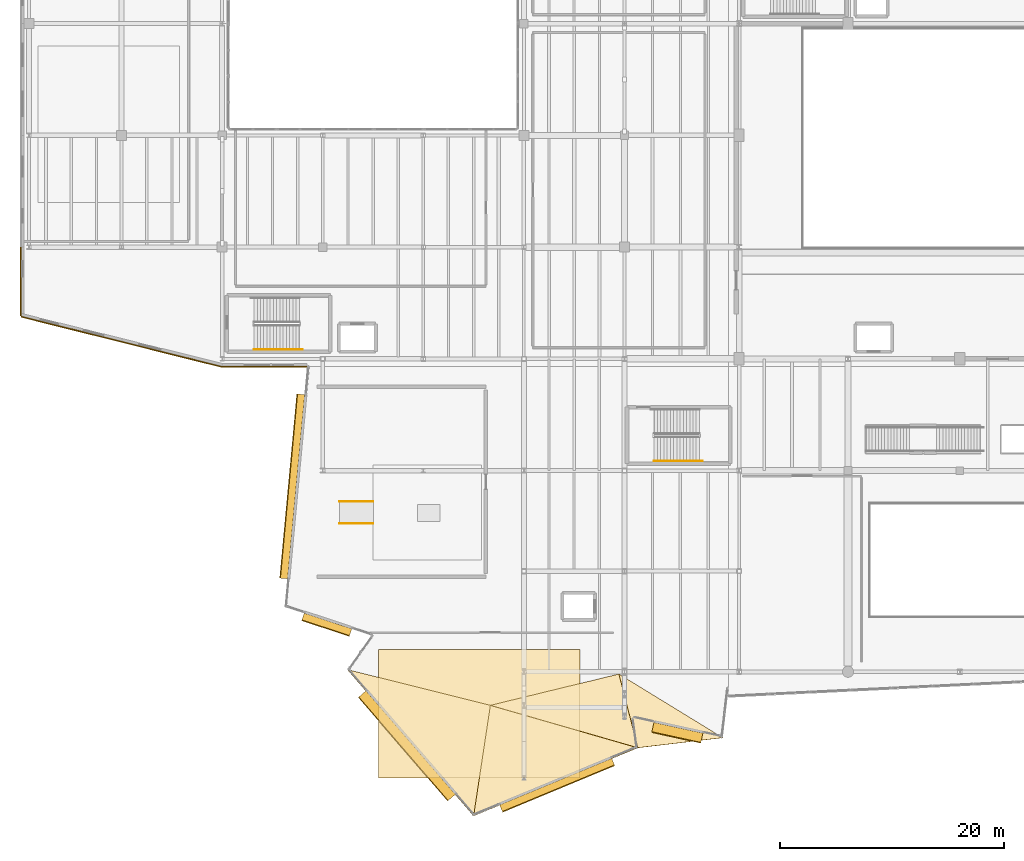
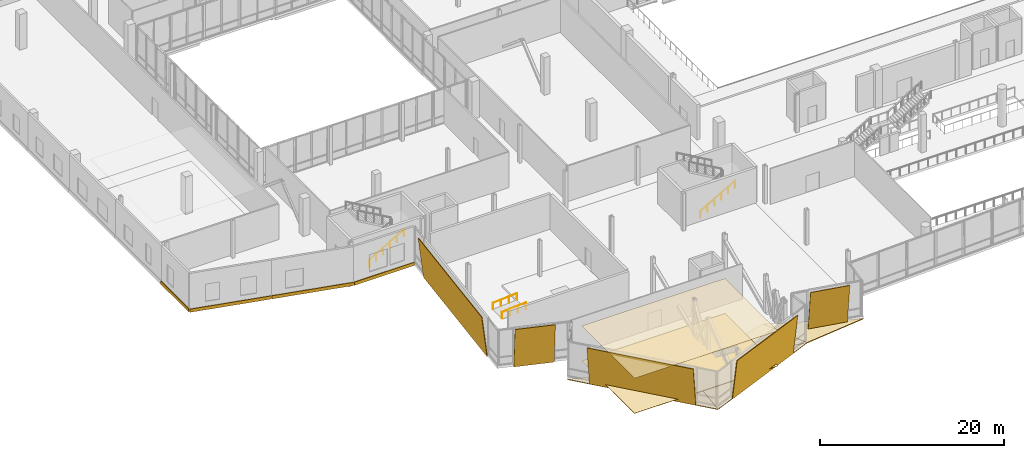
# One storey, part 62 of 73: 15 coverings, 4 railings.
"""IFC4 building model written with IfcOpenShell, lengths in metres."""

from ifc_helpers import new_model, si_unit, direction, frame, origin, origin_2d, place, context, subcontext, project, spatial, polyline, rectangle, circle, outline, extrude, material, layer, layer_set, type_object, element, save


model = new_model("IFC4")

# Units and contexts
model_context = context("Model", 3, precision=1e-05, world=origin(), true_north=direction((0.0, 1.0)))
body_context = subcontext(model_context, "Body", "Model", "MODEL_VIEW")
ifc_project = project(units=[si_unit("LENGTHUNIT", "METRE"), si_unit("AREAUNIT", "SQUARE_METRE"), si_unit("VOLUMEUNIT", "CUBIC_METRE"), si_unit("PLANEANGLEUNIT", "RADIAN"), si_unit("MASSUNIT", "GRAM", prefix="KILO")], contexts=[model_context])

# Site, building, storey
site_placement = place(None, origin())
site = spatial("IfcSite", under=ifc_project, at=site_placement, CompositionType="ELEMENT")
building_placement = place(site_placement, origin())
building = spatial("IfcBuilding", under=site, at=building_placement, Name="Trimount Lyric Opera House", CompositionType="ELEMENT")
storey_placement = place(building_placement, frame((0.0, 0.0, 10.0)))
storey = spatial("IfcBuildingStorey", under=building, at=storey_placement, Name="L02", CompositionType="ELEMENT", Elevation=10.0)

# Coverings
ifc_material_1 = material(Name="Micro-Perforated White Oak Acoustic Ceiling")
ifc_layer_1 = layer(ifc_material_1, 0.0400390625)
ifc_layer_set_1 = layer_set([ifc_layer_1], Name="CEIL-AC1")
covering_type_1 = type_object("IfcCoveringType", Name="CEIL-AC1", PredefinedType="CEILING", material=ifc_layer_set_1)
covering_1_placement = place(storey_placement, frame((0.0, 0.0, 4.635009765625)))
element("IfcCovering", 1, at=covering_1_placement, inside=storey, type_object=covering_type_1, Name="Broken-Crystal Overlook Foyer acoustic ceiling", PredefinedType="CEILING", context=body_context, shape_type="SweptSolid", body=[
    extrude(outline(polyline([(32.0, 16.5), (50.0, 16.5), (50.0, 28.0), (32.0, 28.0), (32.0, 16.5)])), origin(), (0.0, 0.0, 1.0), 0.0400390625),
])
ifc_material_2 = material(Name="Matte White GFRC Crystal Facet Panel")
ifc_layer_2 = layer(ifc_material_2, 0.0849609375)
ifc_layer_set_2 = layer_set([ifc_layer_2], Name="CLD-CRYS1")
covering_type_2 = type_object("IfcCoveringType", Name="CLD-CRYS1", PredefinedType="CLADDING", material=ifc_layer_set_2)
covering_2_placement = place(storey_placement, frame((23.859130859375, 34.31689453125, -0.360107421875), z_axis=(0.988700859086, -0.091885662503, 0.11843832264), x_axis=(0.09253699236, 0.995709247243, 0.0)))
element("IfcCovering", 2, at=covering_2_placement, inside=storey, type_object=covering_type_2, Name="L02 broken-crystal tilted white plane 001", PredefinedType="CLADDING", context=body_context, shape_type="SweptSolid", body=[
    extrude(outline(polyline([(0.0, 0.0), (16.552713052291413, 0.0), (16.552678476461015, 5.438425325058503), (-3.4575830398635705e-05, 5.438425325058503), (0.0, 0.0)])), origin(), (0.0, 0.0, -1.0), 0.0849609375),
])
covering_3_placement = place(storey_placement, frame((52.853515625, 18.25341796875, -0.360107421875), z_axis=(-0.380583073305, 0.917133297413, 0.118418913566), x_axis=(-0.923632226949, -0.383279936001, 0.0)))
element("IfcCovering", 3, at=covering_3_placement, inside=storey, type_object=covering_type_2, Name="L02 broken-crystal tilted white plane 003", PredefinedType="CLADDING", context=body_context, shape_type="SweptSolid", body=[
    extrude(outline(polyline([(0.0, 0.0), (10.855367423261049, 0.0), (10.855270060406347, 5.393172449113417), (-9.736285470105712e-05, 5.393172449113417), (0.0, 0.0)])), origin(), (0.0, 0.0, -1.0), 0.0849609375),
])
covering_4_placement = place(storey_placement, frame((29.606201171875, 29.8515625, -0.360107421875), z_axis=(0.310116904016, 0.943298153607, 0.118389607842), x_axis=(-0.94997903439, 0.312313679192, -3.039992e-06)))
element("IfcCovering", 4, at=covering_4_placement, inside=storey, type_object=covering_type_2, Name="L02 broken-crystal tilted white plane 005", PredefinedType="CLADDING", context=body_context, shape_type="SweptSolid", body=[
    extrude(outline(polyline([(0.0, 0.0), (4.484357360496435, -2.7755575615628914e-17), (4.484139446353267, 5.438407235704183), (-0.00014166568633345393, 5.438379778013122), (0.0, 0.0)])), origin(), (0.0, 0.0, -1.0), 0.0849609375),
])
covering_5_placement = place(storey_placement, frame((29.199951171875, 26.199951171875, -0.340087890625), z_axis=(0.103072188546, 0.090424767846, 0.990555139964), x_axis=(0.653173647591, -0.757207268203, 0.001157183517)))
element("IfcCovering", 5, at=covering_5_placement, inside=storey, type_object=covering_type_2, Name="Cantilevered crystal prow white soffit facet CLD-BELLY-1", PredefinedType="CLADDING", context=body_context, shape_type="SweptSolid", body=[
    extrude(outline(polyline([(0.0, 0.0), (17.300221571716165, -1.1848161340921592e-15), (10.7824776340986, 7.6746522432282775), (0.0, 0.0)])), origin(), (0.0, 0.0, -1.0), 0.0849609375),
])
covering_6_placement = place(storey_placement, frame((40.5, 13.10009765625, -0.320068359375), z_axis=(-0.045606267769, 0.113163353186, 0.992529155157), x_axis=(0.923635712001, 0.383269473424, -0.0012578786)))
element("IfcCovering", 6, at=covering_6_placement, inside=storey, type_object=covering_type_2, Name="Cantilevered crystal prow white soffit facet CLD-BELLY-2", PredefinedType="CLADDING", context=body_context, shape_type="SweptSolid", body=[
    extrude(outline(polyline([(0.0, 0.0), (15.915312694044795, -5.741934705483231e-16), (5.1811170441595085, 8.633498668880375), (0.0, 0.0)])), origin(), (0.0, 0.0, -1.0), 0.0849609375),
])
covering_7_placement = place(storey_placement, frame((55.199951171875, 19.199951171875, -0.340087890625), z_axis=(-0.015703161862, 0.132584602326, 0.991047291472), x_axis=(0.99305906425, 0.117616728875, 0.0)))
element("IfcCovering", 7, at=covering_7_placement, inside=storey, type_object=covering_type_2, Name="Cantilevered crystal prow white soffit facet CLD-BELLY-3", PredefinedType="CLADDING", context=body_context, shape_type="SweptSolid", body=[
    extrude(outline(polyline([(0.0, 0.0), (7.6532181517234585, -1.1102230246251565e-16), (-0.9118700234266737, 6.815244395174618), (0.0, 0.0)])), origin(), (0.0, 0.0, -1.0), 0.0849609375),
])
covering_8_placement = place(storey_placement, frame((42.0, 23.0, -1.3798828125), z_axis=(-0.041841142497, 0.125868500338, 0.991164183885), x_axis=(0.958229852088, -0.275858613345, 0.075482289382)))
element("IfcCovering", 8, at=covering_8_placement, inside=storey, type_object=covering_type_2, Name="Cantilevered crystal prow white soffit facet CLD-BELLY-4", PredefinedType="CLADDING", context=body_context, shape_type="SweptSolid", body=[
    extrude(outline(polyline([(0.0, 0.0), (13.775349560558363, 4.579669976578771e-16), (10.257029564025274, 5.907663455849412), (0.0, 0.0)])), origin(), (0.0, 0.0, -1.0), 0.0849609375),
])
ifc_material_3 = material(Name="Brushed White Aluminium Crystal Cladding", Category="aluminium")
ifc_layer_3 = layer(ifc_material_3, 0.070068359375)
ifc_layer_set_3 = layer_set([ifc_layer_3], Name="CLD-CRYS2")
covering_type_3 = type_object("IfcCoveringType", Name="CLD-CRYS2", PredefinedType="CLADDING", material=ifc_layer_set_3)
covering_9_placement = place(storey_placement, frame((61.017578125, 20.515380859375, -0.360107421875), z_axis=(0.211081743952, 0.96487212971, 0.156416976953), x_axis=(-0.976896612333, 0.213712444213, -8.98889e-07)))
element("IfcCovering", 9, at=covering_9_placement, inside=storey, type_object=covering_type_3, Name="L02 broken-crystal tilted white plane 002", PredefinedType="CLADDING", context=body_context, shape_type="SweptSolid", body=[
    extrude(outline(polyline([(0.0, 0.0), (4.483721549170515, -2.7755575615628914e-17), (4.483807412456251, 5.467448738406687), (-0.0001526368637602715, 5.467440577000004), (0.0, 0.0)])), origin(), (0.0, 0.0, -1.0), 0.070068359375),
])
covering_10_placement = place(storey_placement, frame((38.866455078125, 15.031982421875, -0.360107421875), z_axis=(0.747892396251, 0.645127126915, 0.156422356932), x_axis=(-0.653167589445, 0.757213378182, 1.166679e-06)))
element("IfcCovering", 10, at=covering_10_placement, inside=storey, type_object=covering_type_3, Name="L02 broken-crystal tilted white plane 004", PredefinedType="CLADDING", context=body_context, shape_type="SweptSolid", body=[
    extrude(outline(polyline([(0.0, 0.0), (12.240425026472785, 0.0), (12.240361353683765, 5.421953172104486), (9.579195449708001e-05, 5.421982089181795), (0.0, 0.0)])), origin(), (0.0, 0.0, -1.0), 0.070068359375),
])
ifc_material_4 = material(Name="Architectural Precast Concrete Spandrel Band", Category="concrete")
ifc_layer_4 = layer(ifc_material_4, 0.094970703125)
ifc_layer_set_4 = layer_set([ifc_layer_4], Name="CLD-WING1")
covering_type_4 = type_object("IfcCoveringType", Name="CLD-WING1", PredefinedType="CLADDING", material=ifc_layer_set_4)
covering_11_placement = place(storey_placement, frame((21.800048828125, 53.278564453125, -0.369873046875), z_axis=(0.0, 0.0, 1.0), x_axis=(-1.0, 0.0, 0.0)))
element("IfcCovering", 11, at=covering_11_placement, inside=storey, type_object=covering_type_4, Name="L02 precast slab-edge spandrel 194", PredefinedType="CLADDING", context=body_context, shape_type="SweptSolid", body=[
    extrude(rectangle(XDim=7.5400390625, YDim=0.094970703125, at=origin_2d()), origin(), (0.0, 0.0, 1.0), 0.419921875),
])
for number, where, z_axis, x_axis, name in (
    (12, (13.489990234375, 54.40478515625, -0.369873046875), (0.0, 0.0, 1.0), (-0.970143530747, 0.242531502591, 0.0), "L02 precast slab-edge spandrel 195"),
    (13, (4.489990234375, 56.65478515625, -0.369873046875), (0.0, 0.0, 1.0), (-0.970143530747, 0.242531502591, 0.0), "L02 precast slab-edge spandrel 196"),
):
    element("IfcCovering", number, at=place(storey_placement, frame(where, z_axis=z_axis, x_axis=x_axis)), inside=storey, type_object=covering_type_4, Name=name, PredefinedType="CLADDING", context=body_context, shape_type="SweptSolid", body=[
        extrude(rectangle(XDim=9.217041015625, YDim=0.094970703125, at=origin_2d()), origin(), (0.0, 0.0, 1.0), 0.419921875),
    ])
covering_12_placement = place(storey_placement, frame((-0.04150390625, 60.909912109375, -0.369873046875), z_axis=(0.0, 0.0, 1.0), x_axis=(0.0, 1.0, 0.0)))
element("IfcCovering", 14, at=covering_12_placement, inside=storey, type_object=covering_type_4, Name="L02 precast slab-edge spandrel 197", PredefinedType="CLADDING", context=body_context, shape_type="SweptSolid", body=[
    extrude(rectangle(XDim=6.1201171875, YDim=0.094970703125, at=origin_2d()), origin(), (0.0, 0.0, 1.0), 0.419921875),
])
ifc_material_5 = material(Name="Honed Granite Terrazzo Concourse Flooring", Category="masonry")
ifc_layer_5 = layer(ifc_material_5, 0.02490234375)
ifc_layer_set_5 = layer_set([ifc_layer_5], Name="FLR-TRZ1")
covering_type_5 = type_object("IfcCoveringType", Name="FLR-TRZ1", PredefinedType="FLOORING", material=ifc_layer_set_5)
covering_13_placement = place(storey_placement, origin())
element("IfcCovering", 15, at=covering_13_placement, inside=storey, type_object=covering_type_5, Name="Broken-Crystal Overlook Foyer finish flooring", PredefinedType="FLOORING", context=body_context, shape_type="SweptSolid", body=[
    extrude(outline(polyline([(32.0, 16.5), (50.0, 16.5), (50.0, 28.0), (32.0, 28.0), (32.0, 16.5)])), origin(), (0.0, 0.0, 1.0), 0.02490234375),
])

# Railings
ifc_material_6 = material(Name="Brushed Stainless Steel 316", Category="steel")
railing_type = type_object("IfcRailingType", Name="RL-HND092", PredefinedType="HANDRAIL", material=ifc_material_6)
railing_1_placement = place(storey_placement, frame((20.85009765625, 54.85009765625, 0.166748046875)))
element("IfcRailing", 16, at=railing_1_placement, inside=storey, type_object=railing_type, Name="L02 ST-06 stair handrail 1", PredefinedType="HANDRAIL", context=body_context, shape_type="SweptSolid", body=[
    extrude(circle(Radius=0.0224609375, at=origin_2d()), frame((0.0, 0.0, 0.8974609375), z_axis=(0.866754379005, 0.0, 0.498735246875), x_axis=(0.0, 1.0, 0.0)), (0.0, 0.0, 1.0), 5.0185546875),
    extrude(circle(Radius=0.02099609375, at=origin_2d()), origin(), (0.0, 0.0, 1.0), 0.875),
    extrude(circle(Radius=0.02099609375, at=origin_2d()), frame((0.869873046875, 0.0, 0.50048828125)), (0.0, 0.0, 1.0), 0.875),
    extrude(circle(Radius=0.02099609375, at=origin_2d()), frame((1.739990234375, 0.0, 1.001220703125)), (0.0, 0.0, 1.0), 0.875),
    extrude(circle(Radius=0.02099609375, at=origin_2d()), frame((2.60986328125, 0.0, 1.501708984375)), (0.0, 0.0, 1.0), 0.875),
    extrude(circle(Radius=0.02099609375, at=origin_2d()), frame((3.47998046875, 0.0, 2.00244140625)), (0.0, 0.0, 1.0), 0.875),
    extrude(circle(Radius=0.02099609375, at=origin_2d()), frame((4.349853515625, 0.0, 2.5029296875)), (0.0, 0.0, 1.0), 0.875),
])
railing_2_placement = place(storey_placement, frame((56.64990234375, 44.85009765625, 0.166748046875)))
element("IfcRailing", 17, at=railing_2_placement, inside=storey, type_object=railing_type, Name="L02 ST-07 stair handrail 1", PredefinedType="HANDRAIL", context=body_context, shape_type="SweptSolid", body=[
    extrude(circle(Radius=0.0224609375, at=origin_2d()), frame((0.0, 0.0, 0.8974609375), z_axis=(0.866766478692, 0.0, 0.498714218181), x_axis=(0.0, 1.0, 0.0)), (0.0, 0.0, 1.0), 5.018798828125),
    extrude(circle(Radius=0.02099609375, at=origin_2d()), origin(), (0.0, 0.0, 1.0), 0.875),
    extrude(circle(Radius=0.02099609375, at=origin_2d()), frame((0.8701171875, 0.0, 0.50048828125)), (0.0, 0.0, 1.0), 0.875),
    extrude(circle(Radius=0.02099609375, at=origin_2d()), frame((1.739990234375, 0.0, 1.001220703125)), (0.0, 0.0, 1.0), 0.875),
    extrude(circle(Radius=0.02099609375, at=origin_2d()), frame((2.610107421875, 0.0, 1.501708984375)), (0.0, 0.0, 1.0), 0.875),
    extrude(circle(Radius=0.02099609375, at=origin_2d()), frame((3.47998046875, 0.0, 2.00244140625)), (0.0, 0.0, 1.0), 0.875),
    extrude(circle(Radius=0.02099609375, at=origin_2d()), frame((4.35009765625, 0.0, 2.5029296875)), (0.0, 0.0, 1.0), 0.875),
])
for number, where, name in (
    (18, (28.5, 39.25, 0.0), "Studio Theatre Stage Accessible Ramp handrail S"),
    (19, (28.5, 41.25, 0.0), "Studio Theatre Stage Accessible Ramp handrail N"),
):
    element("IfcRailing", number, at=place(storey_placement, frame(where)), inside=storey, type_object=railing_type, Name=name, PredefinedType="HANDRAIL", context=body_context, shape_type="SweptSolid", body=[
        extrude(circle(Radius=0.0224609375, at=origin_2d()), frame((0.0, 0.0, 0.8974609375), z_axis=(0.997112988479, 0.0, 0.075932128953), x_axis=(0.0, 1.0, 0.0)), (0.0, 0.0, 1.0), 3.02880859375),
        extrude(circle(Radius=0.02099609375, at=origin_2d()), origin(), (0.0, 0.0, 1.0), 0.875),
        extrude(circle(Radius=0.02099609375, at=origin_2d()), frame((1.006591796875, 0.0, 0.07666015625)), (0.0, 0.0, 1.0), 0.875),
        extrude(circle(Radius=0.02099609375, at=origin_2d()), frame((2.013427734375, 0.0, 0.1533203125)), (0.0, 0.0, 1.0), 0.875),
        extrude(circle(Radius=0.02099609375, at=origin_2d()), frame((3.02001953125, 0.0, 0.22998046875)), (0.0, 0.0, 1.0), 0.875),
    ])

save(model, "model.ifc")
